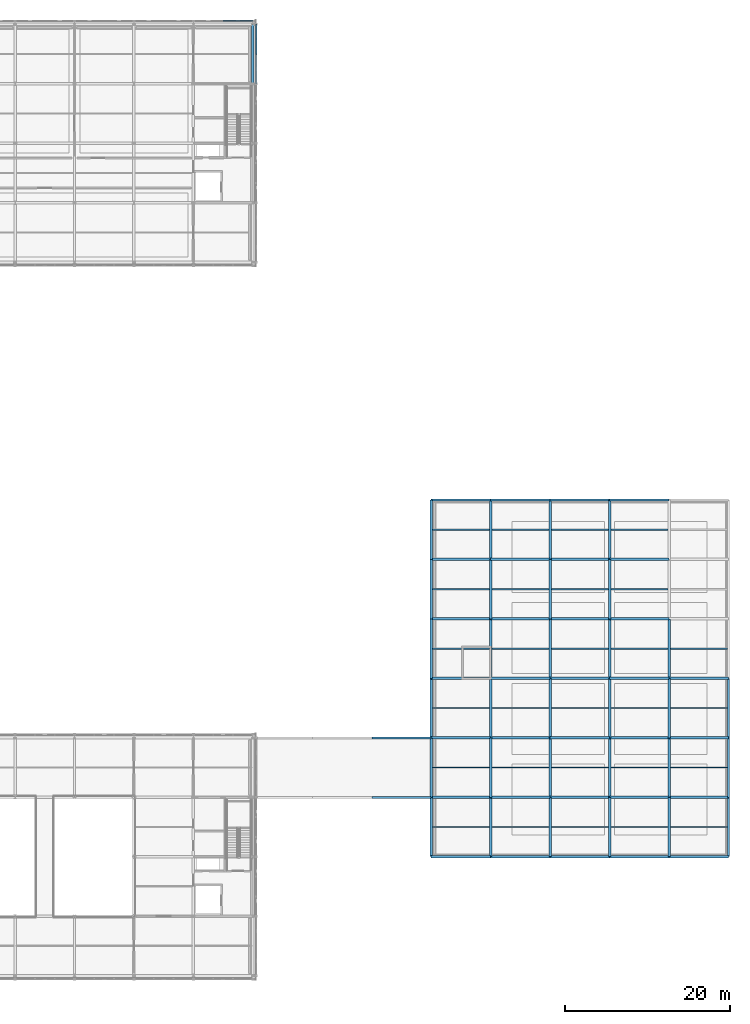
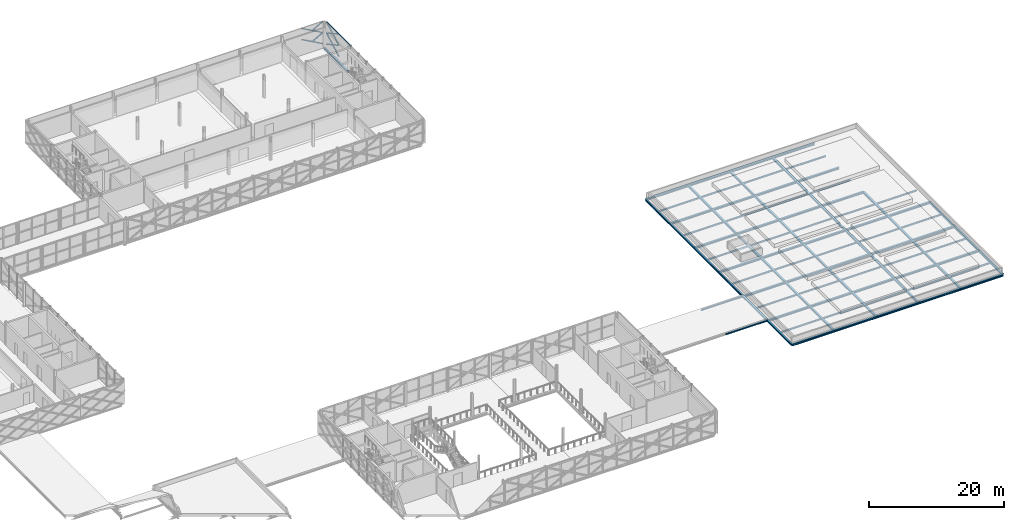
# One storey, part 58 of 103: 94 beams, 11 members.
"""IFC4 building model written with IfcOpenShell, lengths in metres."""

from ifc_helpers import new_model, si_unit, direction, frame, origin, origin_2d, place, context, subcontext, project, spatial, hollow_rectangle, i_section, extrude, material, material_profile, profile_set, type_object, element, save


model = new_model("IFC4")

# Units and contexts
model_context = context("Model", 3, precision=1e-05, world=origin(), true_north=direction((0.0, 1.0)))
body_context = subcontext(model_context, "Body", "Model", "MODEL_VIEW")
ifc_project = project(units=[si_unit("LENGTHUNIT", "METRE"), si_unit("AREAUNIT", "SQUARE_METRE"), si_unit("VOLUMEUNIT", "CUBIC_METRE"), si_unit("PLANEANGLEUNIT", "RADIAN"), si_unit("MASSUNIT", "GRAM", prefix="KILO")], contexts=[model_context])

# Site, building, storey
site_placement = place(None, origin())
site = spatial("IfcSite", under=ifc_project, at=site_placement, CompositionType="ELEMENT")
building_placement = place(site_placement, origin())
building = spatial("IfcBuilding", under=site, at=building_placement, Name="Zlatovets Crest Museum", CompositionType="ELEMENT")
storey_placement = place(building_placement, frame((0.0, 0.0, 12.89990234375)))
storey = spatial("IfcBuildingStorey", under=building, at=storey_placement, Name="L03", CompositionType="ELEMENT", Elevation=12.89990234375)

# Beams
ifc_material_1 = material(Name="Structural steel S355J2", Category="steel")
ifc_material_profile_1 = material_profile(ifc_material_1, i_section(OverallWidth=0.300048828125, OverallDepth=0.35009765625, WebThickness=0.010009765625, FlangeThickness=0.017578125, FilletRadius=0.027099609375, at=origin_2d()), Name="HEA 360")
ifc_profile_set_1 = profile_set([ifc_material_profile_1], Name="Structural steel S355J2")
beam_type_1 = type_object("IfcBeamType", Name="Beam_B-03", PredefinedType="BEAM", material=ifc_profile_set_1)
for number, where, z_axis, x_axis, name in (
    (1, (129.60009765625, 14.39990234375, -0.39501953125), (1.0, 0.0, 0.0), (0.0, 1.0, 0.0), "V5 L03 Primary Girder B-03"),
    (2, (136.800048828125, 14.39990234375, -0.39501953125), (1.0, 0.0, 0.0), (0.0, 1.0, 0.0), "V5 L03 Primary Girder B-03"),
    (3, (144.0, 14.39990234375, -0.39501953125), (1.0, 0.0, 0.0), (0.0, 1.0, 0.0), "V5 L03 Primary Girder B-03"),
    (4, (151.199951171875, 14.39990234375, -0.39501953125), (1.0, 0.0, 0.0), (0.0, 1.0, 0.0), "V5 L03 Primary Girder B-03"),
):
    element("IfcBeam", number, at=place(storey_placement, frame(where, z_axis=z_axis, x_axis=x_axis)), inside=storey, type_object=beam_type_1, Name=name, PredefinedType="BEAM", context=body_context, shape_type="SweptSolid", body=[
        extrude(i_section(OverallWidth=0.300048828125, OverallDepth=0.35009765625, WebThickness=0.010009765625, FlangeThickness=0.017578125, FilletRadius=0.027099609375, at=origin_2d()), origin(), (0.0, 0.0, 1.0), 7.199951171875),
    ])
beam_1_placement = place(storey_placement, frame((158.39990234375, 14.39990234375, -0.39501953125), z_axis=(1.0, 0.0, 0.0), x_axis=(0.0, 1.0, 0.0)))
element("IfcBeam", 5, at=beam_1_placement, inside=storey, type_object=beam_type_1, Name="V5 L03 Primary Girder B-03", PredefinedType="BEAM", context=body_context, shape_type="SweptSolid", body=[
    extrude(i_section(OverallWidth=0.300048828125, OverallDepth=0.35009765625, WebThickness=0.010009765625, FlangeThickness=0.017578125, FilletRadius=0.027099609375, at=origin_2d()), origin(), (0.0, 0.0, 1.0), 7.2001953125),
])
for number, where, z_axis, x_axis, name in (
    (6, (129.60009765625, 21.60009765625, -0.39501953125), (1.0, 0.0, 0.0), (0.0, 1.0, 0.0), "V5 L03 Primary Girder B-03"),
    (7, (136.800048828125, 21.60009765625, -0.39501953125), (1.0, 0.0, 0.0), (0.0, 1.0, 0.0), "V5 L03 Primary Girder B-03"),
    (8, (144.0, 21.60009765625, -0.39501953125), (1.0, 0.0, 0.0), (0.0, 1.0, 0.0), "V5 L03 Primary Girder B-03"),
    (9, (151.199951171875, 21.60009765625, -0.39501953125), (1.0, 0.0, 0.0), (0.0, 1.0, 0.0), "V5 L03 Primary Girder B-03"),
):
    element("IfcBeam", number, at=place(storey_placement, frame(where, z_axis=z_axis, x_axis=x_axis)), inside=storey, type_object=beam_type_1, Name=name, PredefinedType="BEAM", context=body_context, shape_type="SweptSolid", body=[
        extrude(i_section(OverallWidth=0.300048828125, OverallDepth=0.35009765625, WebThickness=0.010009765625, FlangeThickness=0.017578125, FilletRadius=0.027099609375, at=origin_2d()), origin(), (0.0, 0.0, 1.0), 7.199951171875),
    ])
beam_2_placement = place(storey_placement, frame((158.39990234375, 21.60009765625, -0.39501953125), z_axis=(1.0, 0.0, 0.0), x_axis=(0.0, 1.0, 0.0)))
element("IfcBeam", 10, at=beam_2_placement, inside=storey, type_object=beam_type_1, Name="V5 L03 Primary Girder B-03", PredefinedType="BEAM", context=body_context, shape_type="SweptSolid", body=[
    extrude(i_section(OverallWidth=0.300048828125, OverallDepth=0.35009765625, WebThickness=0.010009765625, FlangeThickness=0.017578125, FilletRadius=0.027099609375, at=origin_2d()), origin(), (0.0, 0.0, 1.0), 7.2001953125),
])
for number, where, z_axis, x_axis, name in (
    (11, (129.60009765625, 28.800048828125, -0.39501953125), (1.0, 0.0, 0.0), (0.0, 1.0, 0.0), "V5 L03 Primary Girder B-03"),
    (12, (136.800048828125, 28.800048828125, -0.39501953125), (1.0, 0.0, 0.0), (0.0, 1.0, 0.0), "V5 L03 Primary Girder B-03"),
    (13, (144.0, 28.800048828125, -0.39501953125), (1.0, 0.0, 0.0), (0.0, 1.0, 0.0), "V5 L03 Primary Girder B-03"),
    (14, (151.199951171875, 28.800048828125, -0.39501953125), (1.0, 0.0, 0.0), (0.0, 1.0, 0.0), "V5 L03 Primary Girder B-03"),
):
    element("IfcBeam", number, at=place(storey_placement, frame(where, z_axis=z_axis, x_axis=x_axis)), inside=storey, type_object=beam_type_1, Name=name, PredefinedType="BEAM", context=body_context, shape_type="SweptSolid", body=[
        extrude(i_section(OverallWidth=0.300048828125, OverallDepth=0.35009765625, WebThickness=0.010009765625, FlangeThickness=0.017578125, FilletRadius=0.027099609375, at=origin_2d()), origin(), (0.0, 0.0, 1.0), 7.199951171875),
    ])
beam_3_placement = place(storey_placement, frame((158.39990234375, 28.800048828125, -0.39501953125), z_axis=(1.0, 0.0, 0.0), x_axis=(0.0, 1.0, 0.0)))
element("IfcBeam", 15, at=beam_3_placement, inside=storey, type_object=beam_type_1, Name="V5 L03 Primary Girder B-03", PredefinedType="BEAM", context=body_context, shape_type="SweptSolid", body=[
    extrude(i_section(OverallWidth=0.300048828125, OverallDepth=0.35009765625, WebThickness=0.010009765625, FlangeThickness=0.017578125, FilletRadius=0.027099609375, at=origin_2d()), origin(), (0.0, 0.0, 1.0), 7.2001953125),
])
for number, where, z_axis, x_axis, name in (
    (16, (129.60009765625, 36.0, -0.39501953125), (1.0, 0.0, 0.0), (0.0, 1.0, 0.0), "V5 L03 Primary Girder B-03"),
    (17, (136.800048828125, 36.0, -0.39501953125), (1.0, 0.0, 0.0), (0.0, 1.0, 0.0), "V5 L03 Primary Girder B-03"),
    (18, (144.0, 36.0, -0.39501953125), (1.0, 0.0, 0.0), (0.0, 1.0, 0.0), "V5 L03 Primary Girder B-03"),
    (19, (151.199951171875, 36.0, -0.39501953125), (1.0, 0.0, 0.0), (0.0, 1.0, 0.0), "V5 L03 Primary Girder B-03"),
):
    element("IfcBeam", number, at=place(storey_placement, frame(where, z_axis=z_axis, x_axis=x_axis)), inside=storey, type_object=beam_type_1, Name=name, PredefinedType="BEAM", context=body_context, shape_type="SweptSolid", body=[
        extrude(i_section(OverallWidth=0.300048828125, OverallDepth=0.35009765625, WebThickness=0.010009765625, FlangeThickness=0.017578125, FilletRadius=0.027099609375, at=origin_2d()), origin(), (0.0, 0.0, 1.0), 7.199951171875),
    ])
beam_4_placement = place(storey_placement, frame((158.39990234375, 36.0, -0.39501953125), z_axis=(1.0, 0.0, 0.0), x_axis=(0.0, 1.0, 0.0)))
element("IfcBeam", 20, at=beam_4_placement, inside=storey, type_object=beam_type_1, Name="V5 L03 Primary Girder B-03", PredefinedType="BEAM", context=body_context, shape_type="SweptSolid", body=[
    extrude(i_section(OverallWidth=0.300048828125, OverallDepth=0.35009765625, WebThickness=0.010009765625, FlangeThickness=0.017578125, FilletRadius=0.027099609375, at=origin_2d()), origin(), (0.0, 0.0, 1.0), 7.2001953125),
])
for number, where, z_axis, x_axis, name in (
    (21, (129.60009765625, 43.199951171875, -0.39501953125), (1.0, 0.0, 0.0), (0.0, 1.0, 0.0), "V5 L03 Primary Girder B-03"),
    (22, (136.800048828125, 43.199951171875, -0.39501953125), (1.0, 0.0, 0.0), (0.0, 1.0, 0.0), "V5 L03 Primary Girder B-03"),
    (23, (144.0, 43.199951171875, -0.39501953125), (1.0, 0.0, 0.0), (0.0, 1.0, 0.0), "V5 L03 Primary Girder B-03"),
    (24, (151.199951171875, 43.199951171875, -0.39501953125), (1.0, 0.0, 0.0), (0.0, 1.0, 0.0), "V5 L03 Primary Girder B-03"),
    (25, (129.60009765625, 50.39990234375, -0.39501953125), (1.0, 0.0, 0.0), (0.0, 1.0, 0.0), "V5 L03 Primary Girder B-03"),
    (26, (136.800048828125, 50.39990234375, -0.39501953125), (1.0, 0.0, 0.0), (0.0, 1.0, 0.0), "V5 L03 Primary Girder B-03"),
    (27, (144.0, 50.39990234375, -0.39501953125), (1.0, 0.0, 0.0), (0.0, 1.0, 0.0), "V5 L03 Primary Girder B-03"),
    (28, (151.199951171875, 50.39990234375, -0.39501953125), (1.0, 0.0, 0.0), (0.0, 1.0, 0.0), "V5 L03 Primary Girder B-03"),
    (29, (129.60009765625, 57.60009765625, -0.39501953125), (1.0, 0.0, 0.0), (0.0, 1.0, 0.0), "V5 L03 Primary Girder B-03"),
    (30, (136.800048828125, 57.60009765625, -0.39501953125), (1.0, 0.0, 0.0), (0.0, 1.0, 0.0), "V5 L03 Primary Girder B-03"),
    (31, (144.0, 57.60009765625, -0.39501953125), (1.0, 0.0, 0.0), (0.0, 1.0, 0.0), "V5 L03 Primary Girder B-03"),
    (32, (151.199951171875, 57.60009765625, -0.39501953125), (1.0, 0.0, 0.0), (0.0, 1.0, 0.0), "V5 L03 Primary Girder B-03"),
):
    element("IfcBeam", number, at=place(storey_placement, frame(where, z_axis=z_axis, x_axis=x_axis)), inside=storey, type_object=beam_type_1, Name=name, PredefinedType="BEAM", context=body_context, shape_type="SweptSolid", body=[
        extrude(i_section(OverallWidth=0.300048828125, OverallDepth=0.35009765625, WebThickness=0.010009765625, FlangeThickness=0.017578125, FilletRadius=0.027099609375, at=origin_2d()), origin(), (0.0, 0.0, 1.0), 7.199951171875),
    ])
ifc_material_profile_2 = material_profile(ifc_material_1, i_section(OverallWidth=0.300048828125, OverallDepth=0.31005859375, WebThickness=0.009033203125, FlangeThickness=0.015380859375, FilletRadius=0.027099609375, at=origin_2d()), Name="HEA 320")
ifc_profile_set_2 = profile_set([ifc_material_profile_2], Name="Structural steel S355J2")
beam_type_2 = type_object("IfcBeamType", Name="Beam_B-04", PredefinedType="BEAM", material=ifc_profile_set_2)
beam_5_placement = place(storey_placement, frame((108.0, 108.0, -0.39501953125), z_axis=(0.0, 1.0, 0.0), x_axis=(-1.0, 0.0, 0.0)))
element("IfcBeam", 33, at=beam_5_placement, inside=storey, type_object=beam_type_2, Name="V1 L03 Grid Beam B-04", PredefinedType="BEAM", context=body_context, shape_type="SweptSolid", body=[
    extrude(i_section(OverallWidth=0.300048828125, OverallDepth=0.31005859375, WebThickness=0.009033203125, FlangeThickness=0.015380859375, FilletRadius=0.027099609375, at=origin_2d()), origin(), (0.0, 0.0, 1.0), 7.199951171875),
])
beam_6_placement = place(storey_placement, frame((129.60009765625, 14.39990234375, -0.375), z_axis=(0.0, 1.0, 0.0), x_axis=(-1.0, 0.0, 0.0)))
element("IfcBeam", 34, at=beam_6_placement, inside=storey, type_object=beam_type_2, Name="V5 L03 Grid Beam B-04", PredefinedType="BEAM", context=body_context, shape_type="SweptSolid", body=[
    extrude(i_section(OverallWidth=0.300048828125, OverallDepth=0.31005859375, WebThickness=0.009033203125, FlangeThickness=0.015380859375, FilletRadius=0.027099609375, at=origin_2d()), origin(), (0.0, 0.0, 1.0), 7.2001953125),
])
for number, where, z_axis, x_axis, name in (
    (35, (129.60009765625, 21.60009765625, -0.375), (0.0, 1.0, 0.0), (-1.0, 0.0, 0.0), "V5 L03 Grid Beam B-04"),
    (36, (129.60009765625, 28.800048828125, -0.375), (0.0, 1.0, 0.0), (-1.0, 0.0, 0.0), "V5 L03 Grid Beam B-04"),
    (37, (129.60009765625, 36.0, -0.375), (0.0, 1.0, 0.0), (-1.0, 0.0, 0.0), "V5 L03 Grid Beam B-04"),
    (38, (129.60009765625, 43.199951171875, -0.375), (0.0, 1.0, 0.0), (-1.0, 0.0, 0.0), "V5 L03 Grid Beam B-04"),
):
    element("IfcBeam", number, at=place(storey_placement, frame(where, z_axis=z_axis, x_axis=x_axis)), inside=storey, type_object=beam_type_2, Name=name, PredefinedType="BEAM", context=body_context, shape_type="SweptSolid", body=[
        extrude(i_section(OverallWidth=0.300048828125, OverallDepth=0.31005859375, WebThickness=0.009033203125, FlangeThickness=0.015380859375, FilletRadius=0.027099609375, at=origin_2d()), origin(), (0.0, 0.0, 1.0), 7.199951171875),
    ])
for number, where, z_axis, x_axis, name in (
    (39, (129.60009765625, 50.39990234375, -0.375), (0.0, 1.0, 0.0), (-1.0, 0.0, 0.0), "V5 L03 Grid Beam B-04"),
    (40, (136.800048828125, 14.39990234375, -0.375), (0.0, 1.0, 0.0), (-1.0, 0.0, 0.0), "V5 L03 Grid Beam B-04"),
):
    element("IfcBeam", number, at=place(storey_placement, frame(where, z_axis=z_axis, x_axis=x_axis)), inside=storey, type_object=beam_type_2, Name=name, PredefinedType="BEAM", context=body_context, shape_type="SweptSolid", body=[
        extrude(i_section(OverallWidth=0.300048828125, OverallDepth=0.31005859375, WebThickness=0.009033203125, FlangeThickness=0.015380859375, FilletRadius=0.027099609375, at=origin_2d()), origin(), (0.0, 0.0, 1.0), 7.2001953125),
    ])
for number, where, z_axis, x_axis, name in (
    (41, (136.800048828125, 21.60009765625, -0.375), (0.0, 1.0, 0.0), (-1.0, 0.0, 0.0), "V5 L03 Grid Beam B-04"),
    (42, (136.800048828125, 28.800048828125, -0.375), (0.0, 1.0, 0.0), (-1.0, 0.0, 0.0), "V5 L03 Grid Beam B-04"),
    (43, (136.800048828125, 36.0, -0.375), (0.0, 1.0, 0.0), (-1.0, 0.0, 0.0), "V5 L03 Grid Beam B-04"),
    (44, (136.800048828125, 43.199951171875, -0.375), (0.0, 1.0, 0.0), (-1.0, 0.0, 0.0), "V5 L03 Grid Beam B-04"),
):
    element("IfcBeam", number, at=place(storey_placement, frame(where, z_axis=z_axis, x_axis=x_axis)), inside=storey, type_object=beam_type_2, Name=name, PredefinedType="BEAM", context=body_context, shape_type="SweptSolid", body=[
        extrude(i_section(OverallWidth=0.300048828125, OverallDepth=0.31005859375, WebThickness=0.009033203125, FlangeThickness=0.015380859375, FilletRadius=0.027099609375, at=origin_2d()), origin(), (0.0, 0.0, 1.0), 7.199951171875),
    ])
for number, where, z_axis, x_axis, name in (
    (45, (136.800048828125, 50.39990234375, -0.375), (0.0, 1.0, 0.0), (-1.0, 0.0, 0.0), "V5 L03 Grid Beam B-04"),
    (46, (144.0, 14.39990234375, -0.375), (0.0, 1.0, 0.0), (-1.0, 0.0, 0.0), "V5 L03 Grid Beam B-04"),
):
    element("IfcBeam", number, at=place(storey_placement, frame(where, z_axis=z_axis, x_axis=x_axis)), inside=storey, type_object=beam_type_2, Name=name, PredefinedType="BEAM", context=body_context, shape_type="SweptSolid", body=[
        extrude(i_section(OverallWidth=0.300048828125, OverallDepth=0.31005859375, WebThickness=0.009033203125, FlangeThickness=0.015380859375, FilletRadius=0.027099609375, at=origin_2d()), origin(), (0.0, 0.0, 1.0), 7.2001953125),
    ])
for number, where, z_axis, x_axis, name in (
    (47, (144.0, 21.60009765625, -0.375), (0.0, 1.0, 0.0), (-1.0, 0.0, 0.0), "V5 L03 Grid Beam B-04"),
    (48, (144.0, 28.800048828125, -0.375), (0.0, 1.0, 0.0), (-1.0, 0.0, 0.0), "V5 L03 Grid Beam B-04"),
    (49, (144.0, 36.0, -0.375), (0.0, 1.0, 0.0), (-1.0, 0.0, 0.0), "V5 L03 Grid Beam B-04"),
    (50, (144.0, 43.199951171875, -0.375), (0.0, 1.0, 0.0), (-1.0, 0.0, 0.0), "V5 L03 Grid Beam B-04"),
):
    element("IfcBeam", number, at=place(storey_placement, frame(where, z_axis=z_axis, x_axis=x_axis)), inside=storey, type_object=beam_type_2, Name=name, PredefinedType="BEAM", context=body_context, shape_type="SweptSolid", body=[
        extrude(i_section(OverallWidth=0.300048828125, OverallDepth=0.31005859375, WebThickness=0.009033203125, FlangeThickness=0.015380859375, FilletRadius=0.027099609375, at=origin_2d()), origin(), (0.0, 0.0, 1.0), 7.199951171875),
    ])
for number, where, z_axis, x_axis, name in (
    (51, (144.0, 50.39990234375, -0.375), (0.0, 1.0, 0.0), (-1.0, 0.0, 0.0), "V5 L03 Grid Beam B-04"),
    (52, (151.199951171875, 14.39990234375, -0.375), (0.0, 1.0, 0.0), (-1.0, 0.0, 0.0), "V5 L03 Grid Beam B-04"),
):
    element("IfcBeam", number, at=place(storey_placement, frame(where, z_axis=z_axis, x_axis=x_axis)), inside=storey, type_object=beam_type_2, Name=name, PredefinedType="BEAM", context=body_context, shape_type="SweptSolid", body=[
        extrude(i_section(OverallWidth=0.300048828125, OverallDepth=0.31005859375, WebThickness=0.009033203125, FlangeThickness=0.015380859375, FilletRadius=0.027099609375, at=origin_2d()), origin(), (0.0, 0.0, 1.0), 7.2001953125),
    ])
for number, where, z_axis, x_axis, name in (
    (53, (151.199951171875, 21.60009765625, -0.375), (0.0, 1.0, 0.0), (-1.0, 0.0, 0.0), "V5 L03 Grid Beam B-04"),
    (54, (151.199951171875, 28.800048828125, -0.375), (0.0, 1.0, 0.0), (-1.0, 0.0, 0.0), "V5 L03 Grid Beam B-04"),
    (55, (151.199951171875, 36.0, -0.375), (0.0, 1.0, 0.0), (-1.0, 0.0, 0.0), "V5 L03 Grid Beam B-04"),
    (56, (151.199951171875, 43.199951171875, -0.375), (0.0, 1.0, 0.0), (-1.0, 0.0, 0.0), "V5 L03 Grid Beam B-04"),
):
    element("IfcBeam", number, at=place(storey_placement, frame(where, z_axis=z_axis, x_axis=x_axis)), inside=storey, type_object=beam_type_2, Name=name, PredefinedType="BEAM", context=body_context, shape_type="SweptSolid", body=[
        extrude(i_section(OverallWidth=0.300048828125, OverallDepth=0.31005859375, WebThickness=0.009033203125, FlangeThickness=0.015380859375, FilletRadius=0.027099609375, at=origin_2d()), origin(), (0.0, 0.0, 1.0), 7.199951171875),
    ])
for number, where, z_axis, x_axis, name in (
    (57, (151.199951171875, 50.39990234375, -0.375), (0.0, 1.0, 0.0), (-1.0, 0.0, 0.0), "V5 L03 Grid Beam B-04"),
    (58, (158.39990234375, 14.39990234375, -0.375), (0.0, 1.0, 0.0), (-1.0, 0.0, 0.0), "V5 L03 Grid Beam B-04"),
):
    element("IfcBeam", number, at=place(storey_placement, frame(where, z_axis=z_axis, x_axis=x_axis)), inside=storey, type_object=beam_type_2, Name=name, PredefinedType="BEAM", context=body_context, shape_type="SweptSolid", body=[
        extrude(i_section(OverallWidth=0.300048828125, OverallDepth=0.31005859375, WebThickness=0.009033203125, FlangeThickness=0.015380859375, FilletRadius=0.027099609375, at=origin_2d()), origin(), (0.0, 0.0, 1.0), 7.2001953125),
    ])
for number, where, z_axis, x_axis, name in (
    (59, (158.39990234375, 21.60009765625, -0.375), (0.0, 1.0, 0.0), (-1.0, 0.0, 0.0), "V5 L03 Grid Beam B-04"),
    (60, (158.39990234375, 28.800048828125, -0.375), (0.0, 1.0, 0.0), (-1.0, 0.0, 0.0), "V5 L03 Grid Beam B-04"),
    (61, (158.39990234375, 36.0, -0.375), (0.0, 1.0, 0.0), (-1.0, 0.0, 0.0), "V5 L03 Grid Beam B-04"),
):
    element("IfcBeam", number, at=place(storey_placement, frame(where, z_axis=z_axis, x_axis=x_axis)), inside=storey, type_object=beam_type_2, Name=name, PredefinedType="BEAM", context=body_context, shape_type="SweptSolid", body=[
        extrude(i_section(OverallWidth=0.300048828125, OverallDepth=0.31005859375, WebThickness=0.009033203125, FlangeThickness=0.015380859375, FilletRadius=0.027099609375, at=origin_2d()), origin(), (0.0, 0.0, 1.0), 7.199951171875),
    ])
beam_7_placement = place(storey_placement, frame((165.60009765625, 14.39990234375, -0.375), z_axis=(0.0, 1.0, 0.0), x_axis=(-1.0, 0.0, 0.0)))
element("IfcBeam", 62, at=beam_7_placement, inside=storey, type_object=beam_type_2, Name="V5 L03 Grid Beam B-04", PredefinedType="BEAM", context=body_context, shape_type="SweptSolid", body=[
    extrude(i_section(OverallWidth=0.300048828125, OverallDepth=0.31005859375, WebThickness=0.009033203125, FlangeThickness=0.015380859375, FilletRadius=0.027099609375, at=origin_2d()), origin(), (0.0, 0.0, 1.0), 7.2001953125),
])
for number, where, z_axis, x_axis, name in (
    (63, (165.60009765625, 21.60009765625, -0.375), (0.0, 1.0, 0.0), (-1.0, 0.0, 0.0), "V5 L03 Grid Beam B-04"),
    (64, (165.60009765625, 28.800048828125, -0.375), (0.0, 1.0, 0.0), (-1.0, 0.0, 0.0), "V5 L03 Grid Beam B-04"),
):
    element("IfcBeam", number, at=place(storey_placement, frame(where, z_axis=z_axis, x_axis=x_axis)), inside=storey, type_object=beam_type_2, Name=name, PredefinedType="BEAM", context=body_context, shape_type="SweptSolid", body=[
        extrude(i_section(OverallWidth=0.300048828125, OverallDepth=0.31005859375, WebThickness=0.009033203125, FlangeThickness=0.015380859375, FilletRadius=0.027099609375, at=origin_2d()), origin(), (0.0, 0.0, 1.0), 7.199951171875),
    ])
ifc_material_profile_3 = material_profile(ifc_material_1, i_section(OverallWidth=0.239990234375, OverallDepth=0.22998046875, WebThickness=0.007568359375, FlangeThickness=0.011962890625, FilletRadius=0.02099609375, at=origin_2d()), Name="HEA 240")
ifc_profile_set_3 = profile_set([ifc_material_profile_3], Name="Structural steel S355J2")
beam_type_3 = type_object("IfcBeamType", Name="Beam_B-06", PredefinedType="BEAM", material=ifc_profile_set_3)
for number, where, z_axis, x_axis, name in (
    (65, (122.39990234375, 21.60009765625, -0.3349609375), (1.0, 0.0, 0.0), (0.0, 1.0, 0.0), "Southeast Archive Glazed Link Bridge Roof Edge Beam"),
    (66, (122.39990234375, 28.800048828125, -0.3349609375), (1.0, 0.0, 0.0), (0.0, 1.0, 0.0), "Southeast Archive Glazed Link Bridge Roof Edge Beam"),
):
    element("IfcBeam", number, at=place(storey_placement, frame(where, z_axis=z_axis, x_axis=x_axis)), inside=storey, type_object=beam_type_3, Name=name, PredefinedType="BEAM", context=body_context, shape_type="SweptSolid", body=[
        extrude(i_section(OverallWidth=0.239990234375, OverallDepth=0.22998046875, WebThickness=0.007568359375, FlangeThickness=0.011962890625, FilletRadius=0.02099609375, at=origin_2d()), origin(), (0.0, 0.0, 1.0), 7.2001953125),
    ])
ifc_material_profile_4 = material_profile(ifc_material_1, i_section(OverallWidth=0.14990234375, OverallDepth=0.300048828125, WebThickness=0.007080078125, FlangeThickness=0.0107421875, FilletRadius=0.014892578125, at=origin_2d()), Name="IPE 300")
ifc_profile_set_4 = profile_set([ifc_material_profile_4], Name="Structural steel S355J2")
beam_type_4 = type_object("IfcBeamType", Name="Beam_J-02", PredefinedType="JOIST", material=ifc_profile_set_4)
for number, where, z_axis, x_axis, name in (
    (67, (129.75, 18.0, -0.369873046875), (1.0, 0.0, 0.0), (0.0, 1.0, 0.0), "V5 L03 Composite Joist J-02"),
    (68, (129.75, 25.199951171875, -0.369873046875), (1.0, 0.0, 0.0), (0.0, 1.0, 0.0), "V5 L03 Composite Joist J-02"),
    (69, (129.75, 32.39990234375, -0.369873046875), (1.0, 0.0, 0.0), (0.0, 1.0, 0.0), "V5 L03 Composite Joist J-02"),
    (70, (129.75, 39.60009765625, -0.369873046875), (1.0, 0.0, 0.0), (0.0, 1.0, 0.0), "V5 L03 Composite Joist J-02"),
    (71, (129.75, 46.800048828125, -0.369873046875), (1.0, 0.0, 0.0), (0.0, 1.0, 0.0), "V5 L03 Composite Joist J-02"),
    (72, (129.75, 54.0, -0.369873046875), (1.0, 0.0, 0.0), (0.0, 1.0, 0.0), "V5 L03 Composite Joist J-02"),
):
    element("IfcBeam", number, at=place(storey_placement, frame(where, z_axis=z_axis, x_axis=x_axis)), inside=storey, type_object=beam_type_4, Name=name, PredefinedType="JOIST", context=body_context, shape_type="SweptSolid", body=[
        extrude(i_section(OverallWidth=0.14990234375, OverallDepth=0.300048828125, WebThickness=0.007080078125, FlangeThickness=0.0107421875, FilletRadius=0.014892578125, at=origin_2d()), origin(), (0.0, 0.0, 1.0), 6.89990234375),
    ])
for number, where, z_axis, x_axis, name in (
    (73, (136.949951171875, 18.0, -0.369873046875), (1.0, 0.0, 0.0), (0.0, 1.0, 0.0), "V5 L03 Composite Joist J-02"),
    (74, (136.949951171875, 25.199951171875, -0.369873046875), (1.0, 0.0, 0.0), (0.0, 1.0, 0.0), "V5 L03 Composite Joist J-02"),
    (75, (136.949951171875, 32.39990234375, -0.369873046875), (1.0, 0.0, 0.0), (0.0, 1.0, 0.0), "V5 L03 Composite Joist J-02"),
    (76, (136.949951171875, 39.60009765625, -0.369873046875), (1.0, 0.0, 0.0), (0.0, 1.0, 0.0), "V5 L03 Composite Joist J-02"),
    (77, (136.949951171875, 46.800048828125, -0.369873046875), (1.0, 0.0, 0.0), (0.0, 1.0, 0.0), "V5 L03 Composite Joist J-02"),
    (78, (136.949951171875, 54.0, -0.369873046875), (1.0, 0.0, 0.0), (0.0, 1.0, 0.0), "V5 L03 Composite Joist J-02"),
    (79, (144.14990234375, 18.0, -0.369873046875), (1.0, 0.0, 0.0), (0.0, 1.0, 0.0), "V5 L03 Composite Joist J-02"),
    (80, (144.14990234375, 25.199951171875, -0.369873046875), (1.0, 0.0, 0.0), (0.0, 1.0, 0.0), "V5 L03 Composite Joist J-02"),
    (81, (144.14990234375, 32.39990234375, -0.369873046875), (1.0, 0.0, 0.0), (0.0, 1.0, 0.0), "V5 L03 Composite Joist J-02"),
    (82, (144.14990234375, 39.60009765625, -0.369873046875), (1.0, 0.0, 0.0), (0.0, 1.0, 0.0), "V5 L03 Composite Joist J-02"),
    (83, (144.14990234375, 46.800048828125, -0.369873046875), (1.0, 0.0, 0.0), (0.0, 1.0, 0.0), "V5 L03 Composite Joist J-02"),
    (84, (144.14990234375, 54.0, -0.369873046875), (1.0, 0.0, 0.0), (0.0, 1.0, 0.0), "V5 L03 Composite Joist J-02"),
):
    element("IfcBeam", number, at=place(storey_placement, frame(where, z_axis=z_axis, x_axis=x_axis)), inside=storey, type_object=beam_type_4, Name=name, PredefinedType="JOIST", context=body_context, shape_type="SweptSolid", body=[
        extrude(i_section(OverallWidth=0.14990234375, OverallDepth=0.300048828125, WebThickness=0.007080078125, FlangeThickness=0.0107421875, FilletRadius=0.014892578125, at=origin_2d()), origin(), (0.0, 0.0, 1.0), 6.900146484375),
    ])
for number, where, z_axis, x_axis, name in (
    (85, (151.35009765625, 18.0, -0.369873046875), (1.0, 0.0, 0.0), (0.0, 1.0, 0.0), "V5 L03 Composite Joist J-02"),
    (86, (151.35009765625, 25.199951171875, -0.369873046875), (1.0, 0.0, 0.0), (0.0, 1.0, 0.0), "V5 L03 Composite Joist J-02"),
    (87, (151.35009765625, 32.39990234375, -0.369873046875), (1.0, 0.0, 0.0), (0.0, 1.0, 0.0), "V5 L03 Composite Joist J-02"),
    (88, (151.35009765625, 39.60009765625, -0.369873046875), (1.0, 0.0, 0.0), (0.0, 1.0, 0.0), "V5 L03 Composite Joist J-02"),
    (89, (151.35009765625, 46.800048828125, -0.369873046875), (1.0, 0.0, 0.0), (0.0, 1.0, 0.0), "V5 L03 Composite Joist J-02"),
    (90, (151.35009765625, 54.0, -0.369873046875), (1.0, 0.0, 0.0), (0.0, 1.0, 0.0), "V5 L03 Composite Joist J-02"),
    (91, (158.550048828125, 18.0, -0.369873046875), (1.0, 0.0, 0.0), (0.0, 1.0, 0.0), "V5 L03 Composite Joist J-02"),
    (92, (158.550048828125, 25.199951171875, -0.369873046875), (1.0, 0.0, 0.0), (0.0, 1.0, 0.0), "V5 L03 Composite Joist J-02"),
    (93, (158.550048828125, 32.39990234375, -0.369873046875), (1.0, 0.0, 0.0), (0.0, 1.0, 0.0), "V5 L03 Composite Joist J-02"),
    (94, (158.550048828125, 39.60009765625, -0.369873046875), (1.0, 0.0, 0.0), (0.0, 1.0, 0.0), "V5 L03 Composite Joist J-02"),
):
    element("IfcBeam", number, at=place(storey_placement, frame(where, z_axis=z_axis, x_axis=x_axis)), inside=storey, type_object=beam_type_4, Name=name, PredefinedType="JOIST", context=body_context, shape_type="SweptSolid", body=[
        extrude(i_section(OverallWidth=0.14990234375, OverallDepth=0.300048828125, WebThickness=0.007080078125, FlangeThickness=0.0107421875, FilletRadius=0.014892578125, at=origin_2d()), origin(), (0.0, 0.0, 1.0), 6.89990234375),
    ])

# Members
ifc_material_2 = material(Name="Weathering bronze-steel S355J2W", Category="steel")
ifc_material_profile_5 = material_profile(ifc_material_2, hollow_rectangle(XDim=0.179931640625, YDim=0.179931640625, WallThickness=0.010009765625, InnerFilletRadius=0.010009765625, OuterFilletRadius=0.02001953125, at=origin_2d()), Name="SHS 180x180x10.0")
ifc_profile_set_5 = profile_set([ifc_material_profile_5], Name="Weathering bronze-steel S355J2W")
member_type_1 = type_object("IfcMemberType", Name="Lattice_XL-01", PredefinedType="BRACE", material=ifc_profile_set_5)
member_1_placement = place(storey_placement, frame((108.419921875, 111.60009765625, 0.10009765625), z_axis=(0.0, 0.874148886685, 0.485658031857), x_axis=(-1.0, 0.0, 0.0)))
element("IfcMember", 95, at=member_1_placement, inside=storey, type_object=member_type_1, Name="Continuous Bronze Lattice Diagonal", PredefinedType="BRACE", context=body_context, shape_type="SweptSolid", body=[
    extrude(hollow_rectangle(XDim=0.179931640625, YDim=0.179931640625, WallThickness=0.010009765625, InnerFilletRadius=0.010009765625, OuterFilletRadius=0.02001953125, at=origin_2d()), origin(), (0.0, 0.0, 1.0), 4.1181640625),
])
member_2_placement = place(storey_placement, frame((108.419921875, 111.60009765625, 2.10009765625), z_axis=(0.0, 0.874139684676, -0.48567459443), x_axis=(-1.0, 0.0, 0.0)))
element("IfcMember", 96, at=member_2_placement, inside=storey, type_object=member_type_1, Name="Split Crossing Bronze Lattice Diagonal Upper", PredefinedType="BRACE", context=body_context, shape_type="SweptSolid", body=[
    extrude(hollow_rectangle(XDim=0.179931640625, YDim=0.179931640625, WallThickness=0.010009765625, InnerFilletRadius=0.010009765625, OuterFilletRadius=0.02001953125, at=origin_2d()), origin(), (0.0, 0.0, 1.0), 1.9638671875),
])
member_3_placement = place(storey_placement, frame((108.419921875, 113.48291015625, 1.053955078125), z_axis=(0.0, 0.874169001841, -0.485621824284), x_axis=(-1.0, 0.0, 0.0)))
element("IfcMember", 97, at=member_3_placement, inside=storey, type_object=member_type_1, Name="Split Crossing Bronze Lattice Diagonal Lower", PredefinedType="BRACE", context=body_context, shape_type="SweptSolid", body=[
    extrude(hollow_rectangle(XDim=0.179931640625, YDim=0.179931640625, WallThickness=0.010009765625, InnerFilletRadius=0.010009765625, OuterFilletRadius=0.02001953125, at=origin_2d()), origin(), (0.0, 0.0, 1.0), 1.964111328125),
])
member_4_placement = place(storey_placement, frame((108.419921875, 111.60009765625, 2.10009765625), z_axis=(0.0, 0.874148886685, 0.485658031857), x_axis=(-1.0, 0.0, 0.0)))
element("IfcMember", 98, at=member_4_placement, inside=storey, type_object=member_type_1, Name="Continuous Bronze Lattice Diagonal", PredefinedType="BRACE", context=body_context, shape_type="SweptSolid", body=[
    extrude(hollow_rectangle(XDim=0.179931640625, YDim=0.179931640625, WallThickness=0.010009765625, InnerFilletRadius=0.010009765625, OuterFilletRadius=0.02001953125, at=origin_2d()), origin(), (0.0, 0.0, 1.0), 4.1181640625),
])
member_5_placement = place(storey_placement, frame((108.419921875, 111.60009765625, 4.10009765625), z_axis=(0.0, 0.874139684676, -0.48567459443), x_axis=(-1.0, 0.0, 0.0)))
element("IfcMember", 99, at=member_5_placement, inside=storey, type_object=member_type_1, Name="Split Crossing Bronze Lattice Diagonal Upper", PredefinedType="BRACE", context=body_context, shape_type="SweptSolid", body=[
    extrude(hollow_rectangle(XDim=0.179931640625, YDim=0.179931640625, WallThickness=0.010009765625, InnerFilletRadius=0.010009765625, OuterFilletRadius=0.02001953125, at=origin_2d()), origin(), (0.0, 0.0, 1.0), 1.9638671875),
])
member_6_placement = place(storey_placement, frame((108.419921875, 113.48291015625, 3.053955078125), z_axis=(0.0, 0.874169001841, -0.485621824284), x_axis=(-1.0, 0.0, 0.0)))
element("IfcMember", 100, at=member_6_placement, inside=storey, type_object=member_type_1, Name="Split Crossing Bronze Lattice Diagonal Lower", PredefinedType="BRACE", context=body_context, shape_type="SweptSolid", body=[
    extrude(hollow_rectangle(XDim=0.179931640625, YDim=0.179931640625, WallThickness=0.010009765625, InnerFilletRadius=0.010009765625, OuterFilletRadius=0.02001953125, at=origin_2d()), origin(), (0.0, 0.0, 1.0), 1.964111328125),
])
member_7_placement = place(storey_placement, frame((108.0, 115.6201171875, 0.10009765625), z_axis=(-0.874162868644, 0.0, 0.485632864501), x_axis=(0.0, -1.0, 0.0)))
element("IfcMember", 101, at=member_7_placement, inside=storey, type_object=member_type_1, Name="Continuous Bronze Lattice Diagonal", PredefinedType="BRACE", context=body_context, shape_type="SweptSolid", body=[
    extrude(hollow_rectangle(XDim=0.179931640625, YDim=0.179931640625, WallThickness=0.010009765625, InnerFilletRadius=0.010009765625, OuterFilletRadius=0.02001953125, at=origin_2d()), origin(), (0.0, 0.0, 1.0), 4.118408203125),
])
member_8_placement = place(storey_placement, frame((108.0, 115.6201171875, 2.10009765625), z_axis=(-0.874169001841, 0.0, -0.485621824284), x_axis=(0.0, -1.0, 0.0)))
element("IfcMember", 102, at=member_8_placement, inside=storey, type_object=member_type_1, Name="Split Crossing Bronze Lattice Diagonal Upper", PredefinedType="BRACE", context=body_context, shape_type="SweptSolid", body=[
    extrude(hollow_rectangle(XDim=0.179931640625, YDim=0.179931640625, WallThickness=0.010009765625, InnerFilletRadius=0.010009765625, OuterFilletRadius=0.02001953125, at=origin_2d()), origin(), (0.0, 0.0, 1.0), 1.964111328125),
])
member_9_placement = place(storey_placement, frame((108.0, 115.6201171875, 2.10009765625), z_axis=(-0.874162868644, 0.0, 0.485632864501), x_axis=(0.0, -1.0, 0.0)))
element("IfcMember", 103, at=member_9_placement, inside=storey, type_object=member_type_1, Name="Continuous Bronze Lattice Diagonal", PredefinedType="BRACE", context=body_context, shape_type="SweptSolid", body=[
    extrude(hollow_rectangle(XDim=0.179931640625, YDim=0.179931640625, WallThickness=0.010009765625, InnerFilletRadius=0.010009765625, OuterFilletRadius=0.02001953125, at=origin_2d()), origin(), (0.0, 0.0, 1.0), 4.118408203125),
])
member_10_placement = place(storey_placement, frame((108.0, 115.6201171875, 4.10009765625), z_axis=(-0.874169001841, 0.0, -0.485621824284), x_axis=(0.0, -1.0, 0.0)))
element("IfcMember", 104, at=member_10_placement, inside=storey, type_object=member_type_1, Name="Split Crossing Bronze Lattice Diagonal Upper", PredefinedType="BRACE", context=body_context, shape_type="SweptSolid", body=[
    extrude(hollow_rectangle(XDim=0.179931640625, YDim=0.179931640625, WallThickness=0.010009765625, InnerFilletRadius=0.010009765625, OuterFilletRadius=0.02001953125, at=origin_2d()), origin(), (0.0, 0.0, 1.0), 1.964111328125),
])
ifc_material_profile_6 = material_profile(ifc_material_2, hollow_rectangle(XDim=0.1201171875, YDim=0.239990234375, WallThickness=0.010009765625, InnerFilletRadius=0.010009765625, OuterFilletRadius=0.02001953125, at=origin_2d()), Name="RHS 120x240x10.0")
ifc_profile_set_6 = profile_set([ifc_material_profile_6], Name="Weathering bronze-steel S355J2W")
member_type_2 = type_object("IfcMemberType", Name="Lattice_XL-04", PredefinedType="CHORD", material=ifc_profile_set_6)
member_11_placement = place(storey_placement, frame((108.419921875, 108.0, 4.10009765625), z_axis=(0.0, 1.0, 0.0), x_axis=(-1.0, 0.0, 0.0)))
element("IfcMember", 105, at=member_11_placement, inside=storey, type_object=member_type_2, Name="Art Nouveau Woven Cage Collector Ring Chord", PredefinedType="CHORD", context=body_context, shape_type="SweptSolid", body=[
    extrude(hollow_rectangle(XDim=0.1201171875, YDim=0.239990234375, WallThickness=0.010009765625, InnerFilletRadius=0.010009765625, OuterFilletRadius=0.02001953125, at=origin_2d()), origin(), (0.0, 0.0, 1.0), 7.199951171875),
])

save(model, "model.ifc")
